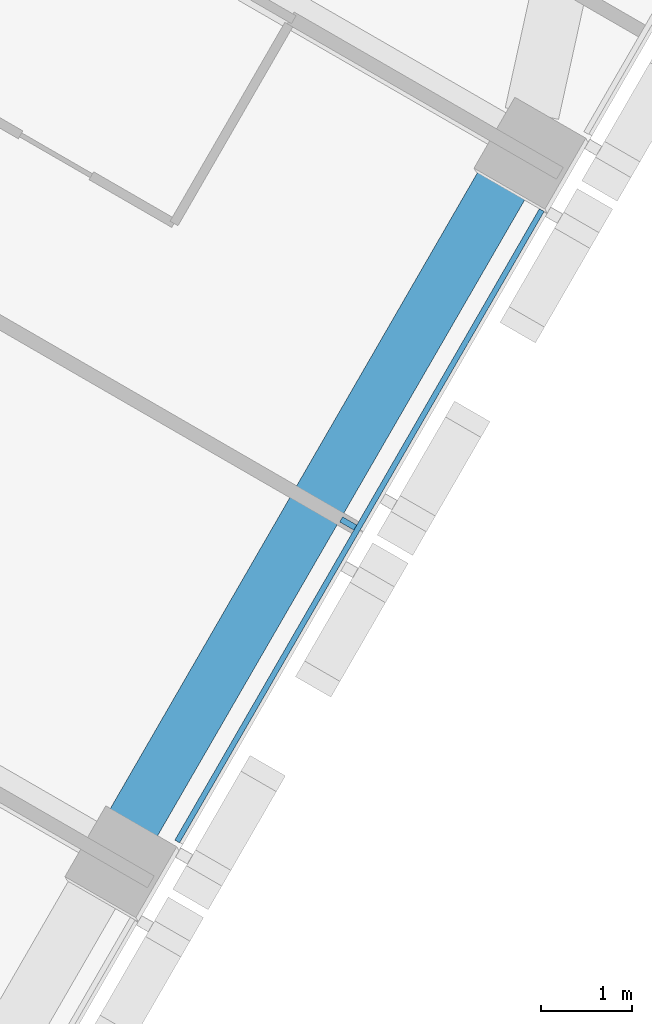
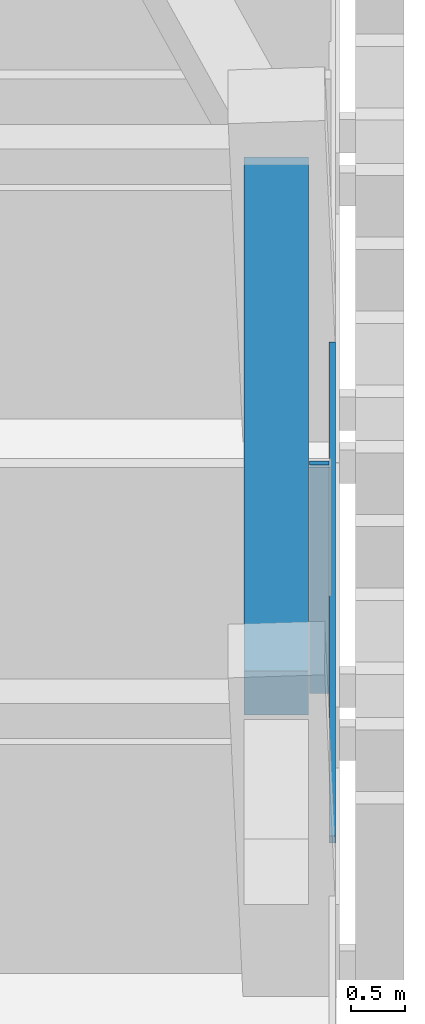
# One storey, part 5 of 17: 2 members, 1 beam, 1 element without a shape of its own.
"""IFC4 building model written with IfcOpenShell, lengths in metres."""

from ifc_helpers import new_model, si_unit, direction, frame, origin, origin_2d, place, context, subcontext, project, spatial, rectangle, extrude, material, layer, layer_set, material_profile, profile_set, type_object, element, aggregate, save


model = new_model("IFC4")

# Units and contexts
model_context = context("Model", 3, precision=1e-05, world=origin(), true_north=direction((0.0, 1.0)))
body_context = subcontext(model_context, "Body", "Model", "MODEL_VIEW")
ifc_project = project(units=[si_unit("LENGTHUNIT", "METRE"), si_unit("AREAUNIT", "SQUARE_METRE"), si_unit("VOLUMEUNIT", "CUBIC_METRE"), si_unit("PLANEANGLEUNIT", "RADIAN"), si_unit("MASSUNIT", "GRAM", prefix="KILO")], contexts=[model_context])

# Site, building, storey
site_placement = place(None, origin())
site = spatial("IfcSite", under=ifc_project, at=site_placement, CompositionType="ELEMENT")
building_placement = place(site_placement, origin())
building = spatial("IfcBuilding", under=site, at=building_placement, Name="Altiplano Prism Tower", CompositionType="ELEMENT")
storey_placement = place(building_placement, frame((0.0, 0.0, 30.60009765625)))
storey = spatial("IfcBuildingStorey", under=building, at=storey_placement, Name="L06", CompositionType="ELEMENT", Elevation=30.60009765625)

# Curtain wall, members
ifc_material_1 = material(Name="Aluminium and glass", Category="aluminium")
ifc_layer = layer(ifc_material_1, 0.280029296875)
ifc_layer_set = layer_set([ifc_layer], Name="Aluminium and glass")
curtain_wall_type = type_object("IfcCurtainWallType", Name="CW1 typical co-living unitised curtain wall", PredefinedType="NOTDEFINED", material=ifc_layer_set)
curtain_wall_placement = place(storey_placement, origin())
curtain_wall = element("IfcCurtainWall", 1, at=curtain_wall_placement, inside=storey, type_object=curtain_wall_type, Name="CW1 curtain wall south-east face L06", PredefinedType="NOTDEFINED")
ifc_material_2 = material(Name="Aluminium", Category="aluminium")
ifc_material_profile_1 = material_profile(ifc_material_2, rectangle(XDim=0.179931640625, YDim=0.06494140625, at=origin_2d()), Name="CW1 mullion 65 x 180")
ifc_profile_set_1 = profile_set([ifc_material_profile_1], Name="Aluminium")
member_type_1 = type_object("IfcMemberType", Name="CW1 mullion 65 x 180", PredefinedType="MULLION", material=ifc_profile_set_1)
member_1_placement = place(storey_placement, frame((107.44189453125, 81.52783203125, 0.0), z_axis=(0.0, 0.0, 1.0), x_axis=(-0.866025402886, 0.500000001557, 0.0)))
member_1 = element("IfcMember", 2, at=member_1_placement, type_object=member_type_1, Name="CW1 mullion", PredefinedType="MULLION", context=body_context, shape_type="SweptSolid", body=[
    extrude(rectangle(XDim=0.179931640625, YDim=0.06494140625, at=origin_2d()), origin(), (0.0, 0.0, 1.0), 2.599853515625),
])
ifc_material_profile_2 = material_profile(ifc_material_2, rectangle(XDim=0.06005859375, YDim=0.080078125, at=origin_2d()), Name="CW1 transom 80 x 60")
ifc_profile_set_2 = profile_set([ifc_material_profile_2], Name="Aluminium")
member_type_2 = type_object("IfcMemberType", Name="CW1 transom 80 x 60", PredefinedType="USERDEFINED", material=ifc_profile_set_2)
member_2_placement = place(storey_placement, frame((105.560546875, 78.029296875, 1.099853515625), z_axis=(0.500012318566, 0.86601829154, 0.0), x_axis=(-0.86601829154, 0.500012318566, 0.0)))
member_2 = element("IfcMember", 3, at=member_2_placement, type_object=member_type_2, Name="CW1 transom", ObjectType="TRANSOM", PredefinedType="USERDEFINED", context=body_context, shape_type="SweptSolid", body=[
    extrude(rectangle(XDim=0.06005859375, YDim=0.080078125, at=origin_2d()), origin(), (0.0, 0.0, 1.0), 8.019775390625),
])
aggregate(curtain_wall, [member_1, member_2])

# Beam
ifc_material_3 = material(Name="Concrete C60/75", Category="concrete")
ifc_material_profile_3 = material_profile(ifc_material_3, rectangle(XDim=0.60009765625, YDim=0.5, at=origin_2d()), Name="Edge beam 600x500")
ifc_profile_set_3 = profile_set([ifc_material_profile_3], Name="Concrete C60/75")
beam_type = type_object("IfcBeamType", Name="Edge beam 600x500", PredefinedType="SPANDREL", material=ifc_profile_set_3)
beam_placement = place(storey_placement, frame((105.0517578125, 78.18505859375, 2.849853515625), z_axis=(0.500014701701, 0.866016915587, 0.0), x_axis=(-0.866016915587, 0.500014701701, 0.0)))
element("IfcBeam", 4, at=beam_placement, inside=storey, type_object=beam_type, Name="Edge beam P23-P24 L07", PredefinedType="SPANDREL", context=body_context, shape_type="SweptSolid", body=[
    extrude(rectangle(XDim=0.60009765625, YDim=0.5, at=origin_2d()), origin(), (0.0, 0.0, 1.0), 8.340087890625),
])

save(model, "model.ifc")
